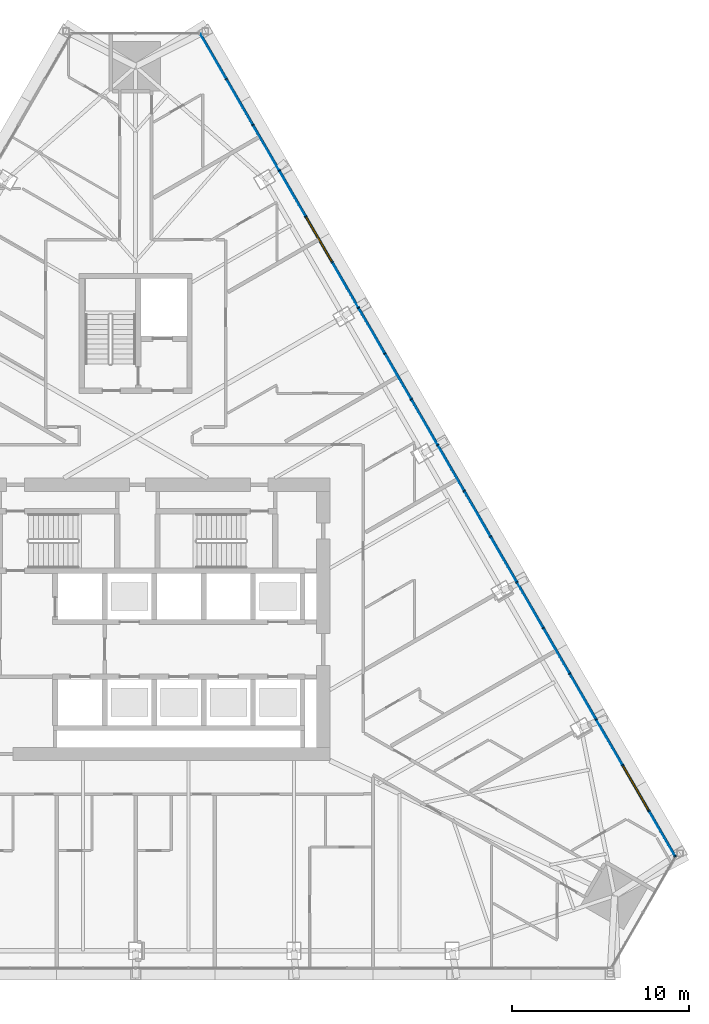
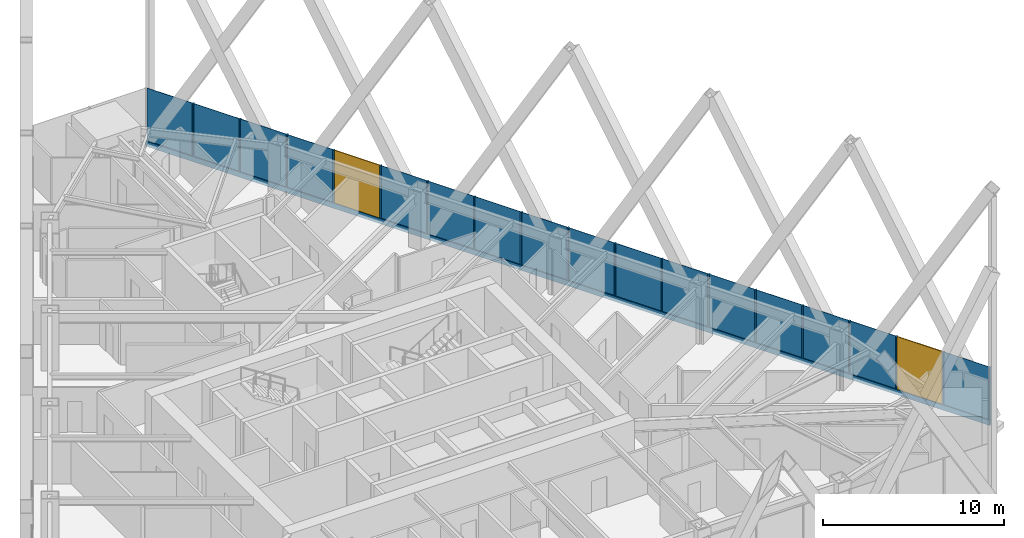
# One storey, part 13 of 24: 19 members, 16 plates, 2 windows, 2 openings, 1 element without a shape of its own.
"""IFC4 building model written with IfcOpenShell, lengths in metres."""

from ifc_helpers import new_model, si_unit, direction, frame, frame_2d, origin, origin_2d, place, context, subcontext, project, spatial, polyline, rectangle, outline, extrude, material, layer, layer_set, material_profile, profile_set, type_object, element, fill, aggregate, save


model = new_model("IFC4")

# Units and contexts
model_context = context("Model", 3, precision=1e-05, world=origin(), true_north=direction((0.0, 1.0)))
body_context = subcontext(model_context, "Body", "Model", "MODEL_VIEW")
ifc_project = project(units=[si_unit("LENGTHUNIT", "METRE"), si_unit("AREAUNIT", "SQUARE_METRE"), si_unit("VOLUMEUNIT", "CUBIC_METRE"), si_unit("PLANEANGLEUNIT", "RADIAN"), si_unit("MASSUNIT", "GRAM", prefix="KILO")], contexts=[model_context])

# Site, building, storey
site_placement = place(None, origin())
site = spatial("IfcSite", under=ifc_project, at=site_placement, CompositionType="ELEMENT")
building_placement = place(site_placement, origin())
building = spatial("IfcBuilding", under=site, at=building_placement, Name="Firuza Gate Tower and Library", CompositionType="ELEMENT")
storey_placement = place(building_placement, frame((0.0, 0.0, 171.39990234375)))
storey = spatial("IfcBuildingStorey", under=building, at=storey_placement, Name="L39", CompositionType="ELEMENT", Elevation=171.39990234375)

# Curtain wall, openings, members, plates, windows
ifc_material_1 = material(Name="Aluminium 6063-T6", Category="aluminium")
ifc_layer_1 = layer(ifc_material_1, 0.14990234375)
ifc_layer_set_1 = layer_set([ifc_layer_1], Name="Unitised curtain wall, hotel")
curtain_wall_type = type_object("IfcCurtainWallType", Name="Unitised curtain wall, hotel", PredefinedType="NOTDEFINED", material=ifc_layer_set_1)
curtain_wall_placement = place(storey_placement, origin())
curtain_wall = element("IfcCurtainWall", 1, at=curtain_wall_placement, inside=storey, type_object=curtain_wall_type, Name="CW2 L39 E face", PredefinedType="NOTDEFINED")
opening_1_placement = place(curtain_wall_placement, frame((104.056396484375, 64.181884765625, 0.150146484375), z_axis=(0.0, 0.0, 1.0), x_axis=(-0.5, 0.866025, 0.0)))
opening_1 = element("IfcOpeningElement", 2, at=opening_1_placement, cuts=curtain_wall, Name="Opening WD1-001", PredefinedType="OPENING", context=body_context, shape_type="SweptSolid", body=[
    extrude(rectangle(XDim=2.912109375, YDim=3.550048828125, at=frame_2d((1.4560546875, 1.77490234375))), frame((0.0, 0.0849609375, 0.0), z_axis=(0.0, -1.0, 0.0), x_axis=(1.0, 0.0, 0.0)), (0.0, 0.0, 1.0), 0.169921875),
])
opening_2_placement = place(curtain_wall_placement, frame((86.103515625, 95.27685546875, 0.150146484375), z_axis=(0.0, 0.0, 1.0), x_axis=(-0.5, 0.866025, 0.0)))
opening_2 = element("IfcOpeningElement", 3, at=opening_2_placement, cuts=curtain_wall, Name="Opening WD1-002", PredefinedType="OPENING", context=body_context, shape_type="SweptSolid", body=[
    extrude(rectangle(XDim=2.912109375, YDim=3.550048828125, at=frame_2d((1.4560546875, 1.77490234375))), frame((0.0, 0.0849609375, 0.0), z_axis=(0.0, -1.0, 0.0), x_axis=(1.0, 0.0, 0.0)), (0.0, 0.0, 1.0), 0.169921875),
])
ifc_material_2 = material(Name="Aluminium 6063-T6", Category="aluminium")
ifc_material_profile_1 = material_profile(ifc_material_2, rectangle(XDim=0.14990234375, YDim=0.080078125, at=origin_2d()))
ifc_profile_set_1 = profile_set([ifc_material_profile_1], Name="Aluminium 6063-T6")
member_type_1 = type_object("IfcMemberType", Name="Curtain wall mullion 80x150", PredefinedType="MULLION", material=ifc_profile_set_1)
member_1_placement = place(storey_placement, frame((105.552490234375, 61.590576171875, 0.150146484375), z_axis=(0.0, 0.0, 1.0), x_axis=(-0.866025403784, -0.5, 0.0)))
member_1 = element("IfcMember", 4, at=member_1_placement, type_object=member_type_1, Name="Mullion", PredefinedType="MULLION", context=body_context, shape_type="SweptSolid", body=[
    extrude(rectangle(XDim=0.14990234375, YDim=0.080078125, at=origin_2d()), origin(), (0.0, 0.0, 1.0), 3.550048828125),
])
member_2_placement = place(storey_placement, frame((104.076416015625, 64.147216796875, 0.150146484375), z_axis=(0.0, 0.0, 1.0), x_axis=(-0.866025403784, -0.5, 0.0)))
member_2 = element("IfcMember", 5, at=member_2_placement, type_object=member_type_1, Name="Mullion", PredefinedType="MULLION", context=body_context, shape_type="SweptSolid", body=[
    extrude(rectangle(XDim=0.14990234375, YDim=0.080078125, at=origin_2d()), origin(), (0.0, 0.0, 1.0), 3.550048828125),
])
member_3_placement = place(storey_placement, frame((102.580322265625, 66.738525390625, 0.150146484375), z_axis=(0.0, 0.0, 1.0), x_axis=(-0.866025403784, -0.5, 0.0)))
member_3 = element("IfcMember", 6, at=member_3_placement, type_object=member_type_1, Name="Mullion", PredefinedType="MULLION", context=body_context, shape_type="SweptSolid", body=[
    extrude(rectangle(XDim=0.14990234375, YDim=0.080078125, at=origin_2d()), origin(), (0.0, 0.0, 1.0), 3.550048828125),
])
member_4_placement = place(storey_placement, frame((101.084228515625, 69.32958984375, 0.150146484375), z_axis=(0.0, 0.0, 1.0), x_axis=(-0.866025403784, -0.5, 0.0)))
member_4 = element("IfcMember", 7, at=member_4_placement, type_object=member_type_1, Name="Mullion", PredefinedType="MULLION", context=body_context, shape_type="SweptSolid", body=[
    extrude(rectangle(XDim=0.14990234375, YDim=0.080078125, at=origin_2d()), origin(), (0.0, 0.0, 1.0), 3.550048828125),
])
member_5_placement = place(storey_placement, frame((99.588134765625, 71.9208984375, 0.150146484375), z_axis=(0.0, 0.0, 1.0), x_axis=(-0.866025403784, -0.5, 0.0)))
member_5 = element("IfcMember", 8, at=member_5_placement, type_object=member_type_1, Name="Mullion", PredefinedType="MULLION", context=body_context, shape_type="SweptSolid", body=[
    extrude(rectangle(XDim=0.14990234375, YDim=0.080078125, at=origin_2d()), origin(), (0.0, 0.0, 1.0), 3.550048828125),
])
member_6_placement = place(storey_placement, frame((98.092041015625, 74.51220703125, 0.150146484375), z_axis=(0.0, 0.0, 1.0), x_axis=(-0.866025403784, -0.5, 0.0)))
member_6 = element("IfcMember", 9, at=member_6_placement, type_object=member_type_1, Name="Mullion", PredefinedType="MULLION", context=body_context, shape_type="SweptSolid", body=[
    extrude(rectangle(XDim=0.14990234375, YDim=0.080078125, at=origin_2d()), origin(), (0.0, 0.0, 1.0), 3.550048828125),
])
member_7_placement = place(storey_placement, frame((96.595947265625, 77.103515625, 0.150146484375), z_axis=(0.0, 0.0, 1.0), x_axis=(-0.866025403784, -0.5, 0.0)))
member_7 = element("IfcMember", 10, at=member_7_placement, type_object=member_type_1, Name="Mullion", PredefinedType="MULLION", context=body_context, shape_type="SweptSolid", body=[
    extrude(rectangle(XDim=0.14990234375, YDim=0.080078125, at=origin_2d()), origin(), (0.0, 0.0, 1.0), 3.550048828125),
])
member_8_placement = place(storey_placement, frame((95.099853515625, 79.69482421875, 0.150146484375), z_axis=(0.0, 0.0, 1.0), x_axis=(-0.866025403784, -0.5, 0.0)))
member_8 = element("IfcMember", 11, at=member_8_placement, type_object=member_type_1, Name="Mullion", PredefinedType="MULLION", context=body_context, shape_type="SweptSolid", body=[
    extrude(rectangle(XDim=0.14990234375, YDim=0.080078125, at=origin_2d()), origin(), (0.0, 0.0, 1.0), 3.550048828125),
])
member_9_placement = place(storey_placement, frame((93.60400390625, 82.285888671875, 0.150146484375), z_axis=(0.0, 0.0, 1.0), x_axis=(-0.866025403784, -0.5, 0.0)))
member_9 = element("IfcMember", 12, at=member_9_placement, type_object=member_type_1, Name="Mullion", PredefinedType="MULLION", context=body_context, shape_type="SweptSolid", body=[
    extrude(rectangle(XDim=0.14990234375, YDim=0.080078125, at=origin_2d()), origin(), (0.0, 0.0, 1.0), 3.550048828125),
])
member_10_placement = place(storey_placement, frame((92.10791015625, 84.877197265625, 0.150146484375), z_axis=(0.0, 0.0, 1.0), x_axis=(-0.866025403784, -0.5, 0.0)))
member_10 = element("IfcMember", 13, at=member_10_placement, type_object=member_type_1, Name="Mullion", PredefinedType="MULLION", context=body_context, shape_type="SweptSolid", body=[
    extrude(rectangle(XDim=0.14990234375, YDim=0.080078125, at=origin_2d()), origin(), (0.0, 0.0, 1.0), 3.550048828125),
])
member_11_placement = place(storey_placement, frame((90.61181640625, 87.468505859375, 0.150146484375), z_axis=(0.0, 0.0, 1.0), x_axis=(-0.866025403784, -0.5, 0.0)))
member_11 = element("IfcMember", 14, at=member_11_placement, type_object=member_type_1, Name="Mullion", PredefinedType="MULLION", context=body_context, shape_type="SweptSolid", body=[
    extrude(rectangle(XDim=0.14990234375, YDim=0.080078125, at=origin_2d()), origin(), (0.0, 0.0, 1.0), 3.550048828125),
])
member_12_placement = place(storey_placement, frame((89.11572265625, 90.059814453125, 0.150146484375), z_axis=(0.0, 0.0, 1.0), x_axis=(-0.866025403784, -0.5, 0.0)))
member_12 = element("IfcMember", 15, at=member_12_placement, type_object=member_type_1, Name="Mullion", PredefinedType="MULLION", context=body_context, shape_type="SweptSolid", body=[
    extrude(rectangle(XDim=0.14990234375, YDim=0.080078125, at=origin_2d()), origin(), (0.0, 0.0, 1.0), 3.550048828125),
])
member_13_placement = place(storey_placement, frame((87.61962890625, 92.65087890625, 0.150146484375), z_axis=(0.0, 0.0, 1.0), x_axis=(-0.866025403784, -0.5, 0.0)))
member_13 = element("IfcMember", 16, at=member_13_placement, type_object=member_type_1, Name="Mullion", PredefinedType="MULLION", context=body_context, shape_type="SweptSolid", body=[
    extrude(rectangle(XDim=0.14990234375, YDim=0.080078125, at=origin_2d()), origin(), (0.0, 0.0, 1.0), 3.550048828125),
])
member_14_placement = place(storey_placement, frame((86.12353515625, 95.2421875, 0.150146484375), z_axis=(0.0, 0.0, 1.0), x_axis=(-0.866025403784, -0.5, 0.0)))
member_14 = element("IfcMember", 17, at=member_14_placement, type_object=member_type_1, Name="Mullion", PredefinedType="MULLION", context=body_context, shape_type="SweptSolid", body=[
    extrude(rectangle(XDim=0.14990234375, YDim=0.080078125, at=origin_2d()), origin(), (0.0, 0.0, 1.0), 3.550048828125),
])
member_15_placement = place(storey_placement, frame((84.62744140625, 97.83349609375, 0.150146484375), z_axis=(0.0, 0.0, 1.0), x_axis=(-0.866025403784, -0.5, 0.0)))
member_15 = element("IfcMember", 18, at=member_15_placement, type_object=member_type_1, Name="Mullion", PredefinedType="MULLION", context=body_context, shape_type="SweptSolid", body=[
    extrude(rectangle(XDim=0.14990234375, YDim=0.080078125, at=origin_2d()), origin(), (0.0, 0.0, 1.0), 3.550048828125),
])
member_16_placement = place(storey_placement, frame((83.131591796875, 100.4248046875, 0.150146484375), z_axis=(0.0, 0.0, 1.0), x_axis=(-0.866025403784, -0.5, 0.0)))
member_16 = element("IfcMember", 19, at=member_16_placement, type_object=member_type_1, Name="Mullion", PredefinedType="MULLION", context=body_context, shape_type="SweptSolid", body=[
    extrude(rectangle(XDim=0.14990234375, YDim=0.080078125, at=origin_2d()), origin(), (0.0, 0.0, 1.0), 3.550048828125),
])
member_17_placement = place(storey_placement, frame((81.635498046875, 103.015869140625, 0.150146484375), z_axis=(0.0, 0.0, 1.0), x_axis=(-0.866025403784, -0.5, 0.0)))
member_17 = element("IfcMember", 20, at=member_17_placement, type_object=member_type_1, Name="Mullion", PredefinedType="MULLION", context=body_context, shape_type="SweptSolid", body=[
    extrude(rectangle(XDim=0.14990234375, YDim=0.080078125, at=origin_2d()), origin(), (0.0, 0.0, 1.0), 3.550048828125),
])
member_18_placement = place(storey_placement, frame((80.139404296875, 105.607177734375, 0.150146484375), z_axis=(0.0, 0.0, 1.0), x_axis=(-0.866025403784, -0.5, 0.0)))
member_18 = element("IfcMember", 21, at=member_18_placement, type_object=member_type_1, Name="Mullion", PredefinedType="MULLION", context=body_context, shape_type="SweptSolid", body=[
    extrude(rectangle(XDim=0.14990234375, YDim=0.080078125, at=origin_2d()), origin(), (0.0, 0.0, 1.0), 3.550048828125),
])
ifc_material_3 = material(Name="Aluminium 6063-T6", Category="aluminium")
ifc_material_profile_2 = material_profile(ifc_material_3, rectangle(XDim=0.14990234375, YDim=0.35009765625, at=origin_2d()))
ifc_profile_set_2 = profile_set([ifc_material_profile_2], Name="Aluminium 6063-T6")
member_type_2 = type_object("IfcMemberType", Name="Curtain wall transom 350x150", PredefinedType="USERDEFINED", material=ifc_profile_set_2)
member_19_placement = place(storey_placement, frame((105.572265625, 61.555908203125, -0.02490234375), z_axis=(-0.499997911762, 0.866026609426, 0.0), x_axis=(-0.866026609426, -0.499997911762, 0.0)))
member_19 = element("IfcMember", 22, at=member_19_placement, type_object=member_type_2, Name="Transom", ObjectType="TRANSOM", PredefinedType="USERDEFINED", context=body_context, shape_type="SweptSolid", body=[
    extrude(rectangle(XDim=0.14990234375, YDim=0.35009765625, at=origin_2d()), origin(), (0.0, 0.0, 1.0), 53.858154296875),
])
ifc_material_4 = material(Name="Fritted glass", Category="glass")
ifc_layer_2 = layer(ifc_material_4, 0.030029296875)
ifc_layer_set_2 = layer_set([ifc_layer_2], Name="Fritted glass unit, hotel")
plate_type_1 = type_object("IfcPlateType", Name="Fritted glass unit, hotel", PredefinedType="CURTAIN_PANEL", material=ifc_layer_set_2)
plate_1_placement = place(storey_placement, frame((99.5810546875, 71.963134765625, 0.150146484375), z_axis=(0.866026430432, 0.49999822179, 0.0), x_axis=(-0.49999822179, 0.866026430432, 0.0)))
plate_1 = element("IfcPlate", 23, at=plate_1_placement, type_object=plate_type_1, Name="Glass unit", PredefinedType="CURTAIN_PANEL", context=body_context, shape_type="SweptSolid", body=[
    extrude(outline(polyline([(0.0, 0.0), (2.9121197317183585, 0.0), (2.9121197317183585, 3.550048828125), (0.0, 3.550048828125), (0.0, 0.0)])), origin(), (0.0, 0.0, -1.0), 0.030029296875),
])
plate_2_placement = place(storey_placement, frame((95.093017578125, 79.73681640625, 0.150146484375), z_axis=(0.866026430432, 0.49999822179, 0.0), x_axis=(-0.49999822179, 0.866026430432, 0.0)))
plate_2 = element("IfcPlate", 24, at=plate_2_placement, type_object=plate_type_1, Name="Glass unit", PredefinedType="CURTAIN_PANEL", context=body_context, shape_type="SweptSolid", body=[
    extrude(outline(polyline([(0.0, 0.0), (2.9121197317183585, 0.0), (2.9121197317183585, 3.550048828125), (0.0, 3.550048828125), (0.0, 0.0)])), origin(), (0.0, 0.0, -1.0), 0.030029296875),
])
plate_3_placement = place(storey_placement, frame((90.604736328125, 87.510498046875, 0.150146484375), z_axis=(0.866026430432, 0.49999822179, 0.0), x_axis=(-0.49999822179, 0.866026430432, 0.0)))
plate_3 = element("IfcPlate", 25, at=plate_3_placement, type_object=plate_type_1, Name="Glass unit", PredefinedType="CURTAIN_PANEL", context=body_context, shape_type="SweptSolid", body=[
    extrude(outline(polyline([(0.0, 0.0), (2.9121197317183585, 0.0), (2.9121197317183585, 3.550048828125), (0.0, 3.550048828125), (0.0, 0.0)])), origin(), (0.0, 0.0, -1.0), 0.030029296875),
])
plate_4_placement = place(storey_placement, frame((81.62841796875, 103.05810546875, 0.150146484375), z_axis=(0.866026430432, 0.49999822179, 0.0), x_axis=(-0.49999822179, 0.866026430432, 0.0)))
plate_4 = element("IfcPlate", 26, at=plate_4_placement, type_object=plate_type_1, Name="Glass unit", PredefinedType="CURTAIN_PANEL", context=body_context, shape_type="SweptSolid", body=[
    extrude(outline(polyline([(0.0, 0.0), (2.9121197317183585, 0.0), (2.9121197317183585, 3.550048828125), (0.0, 3.550048828125), (0.0, 0.0)])), origin(), (0.0, 0.0, -1.0), 0.030029296875),
])
ifc_material_5 = material(Name="Glazed ceramic tile")
ifc_layer_3 = layer(ifc_material_5, 0.030029296875)
ifc_layer_set_3 = layer_set([ifc_layer_3], Name="Opaque ceramic panel, hotel")
plate_type_2 = type_object("IfcPlateType", Name="Opaque ceramic panel, hotel", PredefinedType="CURTAIN_PANEL", material=ifc_layer_set_3)
plate_5_placement = place(storey_placement, frame((105.5654296875, 61.59814453125, 0.150146484375), z_axis=(0.866026430432, 0.49999822179, 0.0), x_axis=(-0.49999822179, 0.866026430432, 0.0)))
plate_5 = element("IfcPlate", 27, at=plate_5_placement, type_object=plate_type_2, Name="Opaque ceramic panel", PredefinedType="CURTAIN_PANEL", context=body_context, shape_type="SweptSolid", body=[
    extrude(outline(polyline([(0.0, 0.0), (2.9121197317183585, 0.0), (2.9121197317183585, 3.550048828125), (0.0, 3.550048828125), (0.0, 0.0)])), origin(), (0.0, 0.0, -1.0), 0.030029296875),
])
plate_6_placement = place(storey_placement, frame((102.5732421875, 66.780517578125, 0.150146484375), z_axis=(0.866026430432, 0.49999822179, 0.0), x_axis=(-0.49999822179, 0.866026430432, 0.0)))
plate_6 = element("IfcPlate", 28, at=plate_6_placement, type_object=plate_type_2, Name="Opaque ceramic panel", PredefinedType="CURTAIN_PANEL", context=body_context, shape_type="SweptSolid", body=[
    extrude(outline(polyline([(0.0, 0.0), (2.9121197317183585, 0.0), (2.9121197317183585, 3.550048828125), (0.0, 3.550048828125), (0.0, 0.0)])), origin(), (0.0, 0.0, -1.0), 0.030029296875),
])
plate_7_placement = place(storey_placement, frame((101.0771484375, 69.371826171875, 0.150146484375), z_axis=(0.866026430432, 0.49999822179, 0.0), x_axis=(-0.49999822179, 0.866026430432, 0.0)))
plate_7 = element("IfcPlate", 29, at=plate_7_placement, type_object=plate_type_2, Name="Opaque ceramic panel", PredefinedType="CURTAIN_PANEL", context=body_context, shape_type="SweptSolid", body=[
    extrude(outline(polyline([(0.0, 0.0), (2.9121197317183585, 0.0), (2.9121197317183585, 3.550048828125), (0.0, 3.550048828125), (0.0, 0.0)])), origin(), (0.0, 0.0, -1.0), 0.030029296875),
])
plate_8_placement = place(storey_placement, frame((98.0849609375, 74.554443359375, 0.150146484375), z_axis=(0.866026430432, 0.49999822179, 0.0), x_axis=(-0.49999822179, 0.866026430432, 0.0)))
plate_8 = element("IfcPlate", 30, at=plate_8_placement, type_object=plate_type_2, Name="Opaque ceramic panel", PredefinedType="CURTAIN_PANEL", context=body_context, shape_type="SweptSolid", body=[
    extrude(outline(polyline([(0.0, 0.0), (2.9121197317183585, 0.0), (2.9121197317183585, 3.550048828125), (0.0, 3.550048828125), (0.0, 0.0)])), origin(), (0.0, 0.0, -1.0), 0.030029296875),
])
plate_9_placement = place(storey_placement, frame((96.589111328125, 77.1455078125, 0.150146484375), z_axis=(0.866026430432, 0.49999822179, 0.0), x_axis=(-0.49999822179, 0.866026430432, 0.0)))
plate_9 = element("IfcPlate", 31, at=plate_9_placement, type_object=plate_type_2, Name="Opaque ceramic panel", PredefinedType="CURTAIN_PANEL", context=body_context, shape_type="SweptSolid", body=[
    extrude(outline(polyline([(0.0, 0.0), (2.9121197317183585, 0.0), (2.9121197317183585, 3.550048828125), (0.0, 3.550048828125), (0.0, 0.0)])), origin(), (0.0, 0.0, -1.0), 0.030029296875),
])
plate_10_placement = place(storey_placement, frame((93.596923828125, 82.328125, 0.150146484375), z_axis=(0.866026430432, 0.49999822179, 0.0), x_axis=(-0.49999822179, 0.866026430432, 0.0)))
plate_10 = element("IfcPlate", 32, at=plate_10_placement, type_object=plate_type_2, Name="Opaque ceramic panel", PredefinedType="CURTAIN_PANEL", context=body_context, shape_type="SweptSolid", body=[
    extrude(outline(polyline([(0.0, 0.0), (2.9121197317183585, 0.0), (2.9121197317183585, 3.550048828125), (0.0, 3.550048828125), (0.0, 0.0)])), origin(), (0.0, 0.0, -1.0), 0.030029296875),
])
plate_11_placement = place(storey_placement, frame((92.100830078125, 84.91943359375, 0.150146484375), z_axis=(0.866026430432, 0.49999822179, 0.0), x_axis=(-0.49999822179, 0.866026430432, 0.0)))
plate_11 = element("IfcPlate", 33, at=plate_11_placement, type_object=plate_type_2, Name="Opaque ceramic panel", PredefinedType="CURTAIN_PANEL", context=body_context, shape_type="SweptSolid", body=[
    extrude(outline(polyline([(0.0, 0.0), (2.9121197317183585, 0.0), (2.9121197317183585, 3.550048828125), (0.0, 3.550048828125), (0.0, 0.0)])), origin(), (0.0, 0.0, -1.0), 0.030029296875),
])
plate_12_placement = place(storey_placement, frame((89.108642578125, 90.101806640625, 0.150146484375), z_axis=(0.866026430432, 0.49999822179, 0.0), x_axis=(-0.49999822179, 0.866026430432, 0.0)))
plate_12 = element("IfcPlate", 34, at=plate_12_placement, type_object=plate_type_2, Name="Opaque ceramic panel", PredefinedType="CURTAIN_PANEL", context=body_context, shape_type="SweptSolid", body=[
    extrude(outline(polyline([(0.0, 0.0), (2.9121197317183585, 0.0), (2.9121197317183585, 3.550048828125), (0.0, 3.550048828125), (0.0, 0.0)])), origin(), (0.0, 0.0, -1.0), 0.030029296875),
])
plate_13_placement = place(storey_placement, frame((87.612548828125, 92.693115234375, 0.150146484375), z_axis=(0.866026430432, 0.49999822179, 0.0), x_axis=(-0.49999822179, 0.866026430432, 0.0)))
plate_13 = element("IfcPlate", 35, at=plate_13_placement, type_object=plate_type_2, Name="Opaque ceramic panel", PredefinedType="CURTAIN_PANEL", context=body_context, shape_type="SweptSolid", body=[
    extrude(outline(polyline([(0.0, 0.0), (2.9121197317183585, 0.0), (2.9121197317183585, 3.550048828125), (0.0, 3.550048828125), (0.0, 0.0)])), origin(), (0.0, 0.0, -1.0), 0.030029296875),
])
plate_14_placement = place(storey_placement, frame((84.62060546875, 97.875732421875, 0.150146484375), z_axis=(0.866026430432, 0.49999822179, 0.0), x_axis=(-0.49999822179, 0.866026430432, 0.0)))
plate_14 = element("IfcPlate", 36, at=plate_14_placement, type_object=plate_type_2, Name="Opaque ceramic panel", PredefinedType="CURTAIN_PANEL", context=body_context, shape_type="SweptSolid", body=[
    extrude(outline(polyline([(0.0, 0.0), (2.9121197317183585, 0.0), (2.9121197317183585, 3.550048828125), (0.0, 3.550048828125), (0.0, 0.0)])), origin(), (0.0, 0.0, -1.0), 0.030029296875),
])
plate_15_placement = place(storey_placement, frame((83.12451171875, 100.466796875, 0.150146484375), z_axis=(0.866026430432, 0.49999822179, 0.0), x_axis=(-0.49999822179, 0.866026430432, 0.0)))
plate_15 = element("IfcPlate", 37, at=plate_15_placement, type_object=plate_type_2, Name="Opaque ceramic panel", PredefinedType="CURTAIN_PANEL", context=body_context, shape_type="SweptSolid", body=[
    extrude(outline(polyline([(0.0, 0.0), (2.9121197317183585, 0.0), (2.9121197317183585, 3.550048828125), (0.0, 3.550048828125), (0.0, 0.0)])), origin(), (0.0, 0.0, -1.0), 0.030029296875),
])
plate_16_placement = place(storey_placement, frame((80.13232421875, 105.6494140625, 0.150146484375), z_axis=(0.866026430432, 0.49999822179, 0.0), x_axis=(-0.49999822179, 0.866026430432, 0.0)))
plate_16 = element("IfcPlate", 38, at=plate_16_placement, type_object=plate_type_2, Name="Opaque ceramic panel", PredefinedType="CURTAIN_PANEL", context=body_context, shape_type="SweptSolid", body=[
    extrude(outline(polyline([(0.0, 0.0), (2.9121197317183585, 0.0), (2.9121197317183585, 3.550048828125), (0.0, 3.550048828125), (0.0, 0.0)])), origin(), (0.0, 0.0, -1.0), 0.030029296875),
])
aggregate(curtain_wall, [member_1, member_2, member_3, member_4, member_5, member_6, member_7, member_8, member_9, member_10, member_11, member_12, member_13, member_14, member_15, member_16, member_17, member_18, member_19, plate_5, plate_6, plate_7, plate_1, plate_8, plate_9, plate_2, plate_10, plate_11, plate_3, plate_12, plate_13, plate_14, plate_15, plate_4, plate_16])
ifc_material_6 = material(Name="Aluminium 6063-T6 and glass", Category="aluminium")
ifc_layer_4 = layer(ifc_material_6, 0.030029296875)
ifc_layer_set_4 = layer_set([ifc_layer_4], Name="Operable glazed unit")
window_type = type_object("IfcWindowType", Name="Operable glazed unit", PartitioningType="SINGLE_PANEL", PredefinedType="WINDOW", material=ifc_layer_set_4)
window_1_placement = place(opening_1_placement, origin())
window_1 = element("IfcWindow", 39, at=window_1_placement, inside=storey, type_object=window_type, Name="Operable glazed unit", OverallHeight=3.550048828125, OverallWidth=2.912109375, PartitioningType="SINGLE_PANEL", PredefinedType="WINDOW", context=body_context, shape_type="SweptSolid", body=[
    extrude(rectangle(XDim=2.912109375, YDim=3.550048828125, at=frame_2d((1.4560546875, 1.77490234375))), frame((0.0, 0.030029296875, 0.0), z_axis=(0.0, -1.0, 0.0), x_axis=(1.0, 0.0, 0.0)), (0.0, 0.0, 1.0), 0.06005859375),
])
fill(opening_1, window_1)
window_2_placement = place(opening_2_placement, origin())
window_2 = element("IfcWindow", 40, at=window_2_placement, inside=storey, type_object=window_type, Name="Operable glazed unit", OverallHeight=3.550048828125, OverallWidth=2.912109375, PartitioningType="SINGLE_PANEL", PredefinedType="WINDOW", context=body_context, shape_type="SweptSolid", body=[
    extrude(rectangle(XDim=2.912109375, YDim=3.550048828125, at=frame_2d((1.4560546875, 1.77490234375))), frame((0.0, 0.030029296875, 0.0), z_axis=(0.0, -1.0, 0.0), x_axis=(1.0, 0.0, 0.0)), (0.0, 0.0, 1.0), 0.06005859375),
])
fill(opening_2, window_2)

save(model, "model.ifc")
